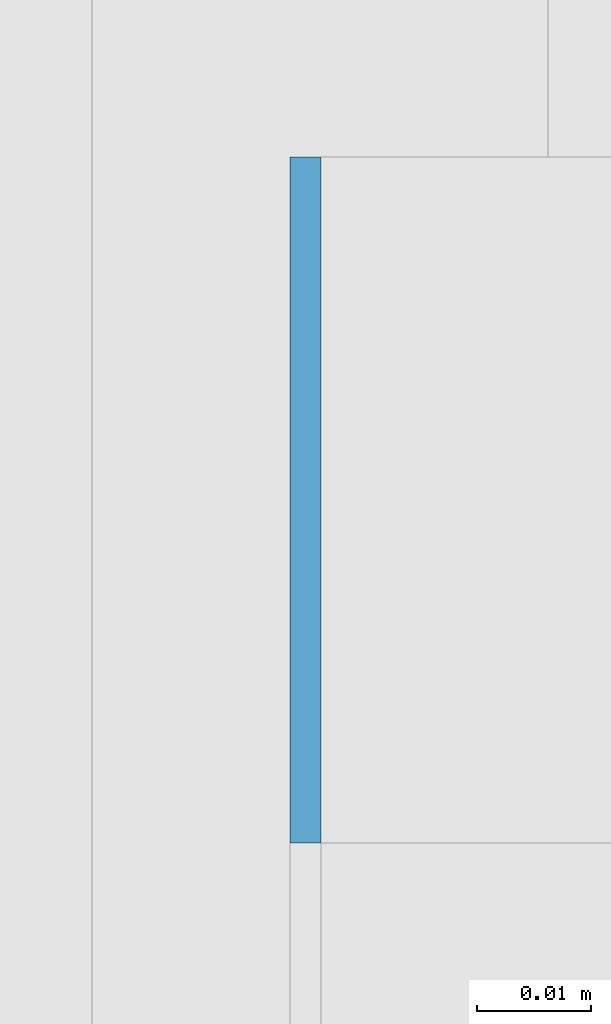
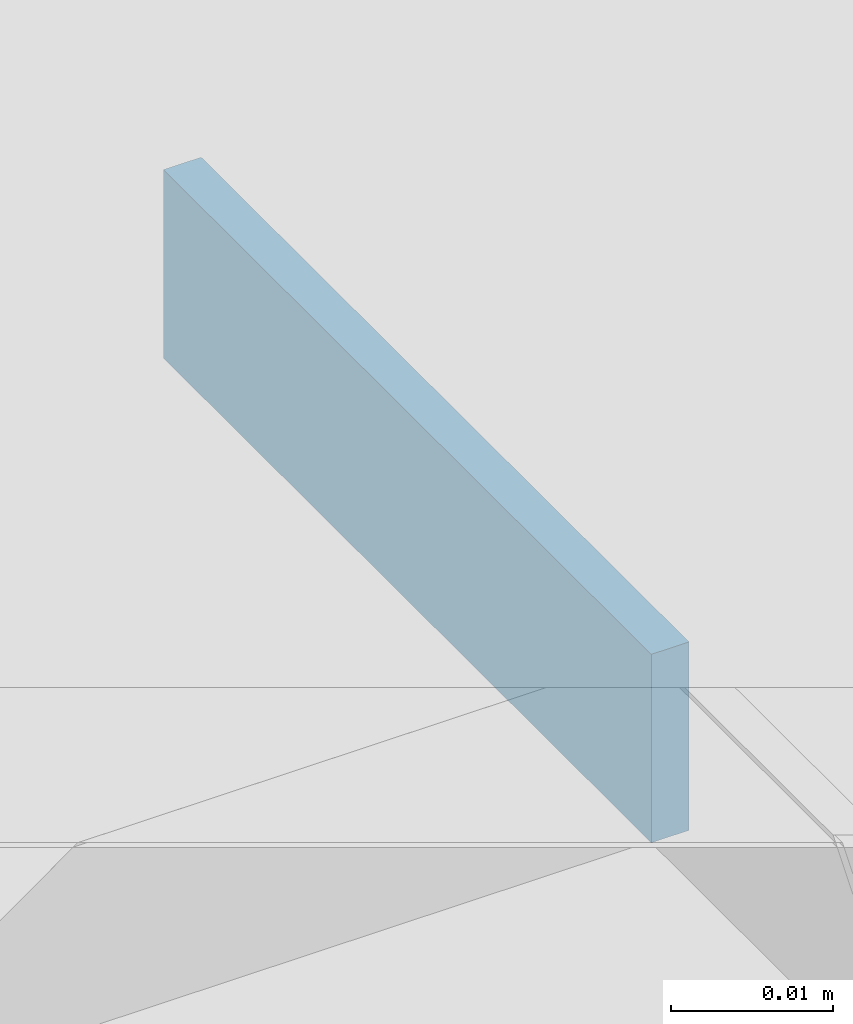
# One storey, part 557 of 646: 1 discrete accessory.
"""IFC4 building model written with IfcOpenShell, lengths in metres."""

from ifc_helpers import new_model, si_unit, direction, frame, origin, origin_2d, place, context, subcontext, project, spatial, rectangle, extrude, material, type_object, element, save


model = new_model("IFC4")

# Units and contexts
model_context = context("Model", 3, precision=1e-05, world=origin(), true_north=direction((0.0, 1.0)))
body_context = subcontext(model_context, "Body", "Model", "MODEL_VIEW")
ifc_project = project(units=[si_unit("LENGTHUNIT", "METRE"), si_unit("AREAUNIT", "SQUARE_METRE"), si_unit("VOLUMEUNIT", "CUBIC_METRE"), si_unit("PLANEANGLEUNIT", "RADIAN"), si_unit("MASSUNIT", "GRAM", prefix="KILO")], contexts=[model_context])

# Site, building, storey
site_placement = place(None, origin())
site = spatial("IfcSite", under=ifc_project, at=site_placement, CompositionType="ELEMENT")
building_placement = place(site_placement, origin())
building = spatial("IfcBuilding", under=site, at=building_placement, Name="Silverbay Arena", CompositionType="ELEMENT")
storey_placement = place(building_placement, frame((0.0, 0.0, 33.5)))
storey = spatial("IfcBuildingStorey", under=building, at=storey_placement, Name="L05", CompositionType="ELEMENT", Elevation=33.5)

# Discrete accessory
ifc_material = material(Name="Steel S355", Category="steel")
discrete_accessory_type = type_object("IfcDiscreteAccessoryType", Name="Steel bracket plate", PredefinedType="BRACKET", material=ifc_material)
discrete_accessory_placement = place(storey_placement, frame((207.128662109375, 99.030029296875, 12.98583984375), z_axis=(0.0, 0.0, 1.0), x_axis=(1.0, 0.0, 0.0)))
element("IfcDiscreteAccessory", 1, at=discrete_accessory_placement, inside=storey, type_object=discrete_accessory_type, Name="Curtain wall packing plate", PredefinedType="BRACKET", context=body_context, shape_type="SweptSolid", body=[
    extrude(rectangle(XDim=0.002685546875, YDim=0.06005859375, at=origin_2d()), origin(), (0.0, 0.0, 1.0), 0.01416015625),
])

save(model, "model.ifc")
